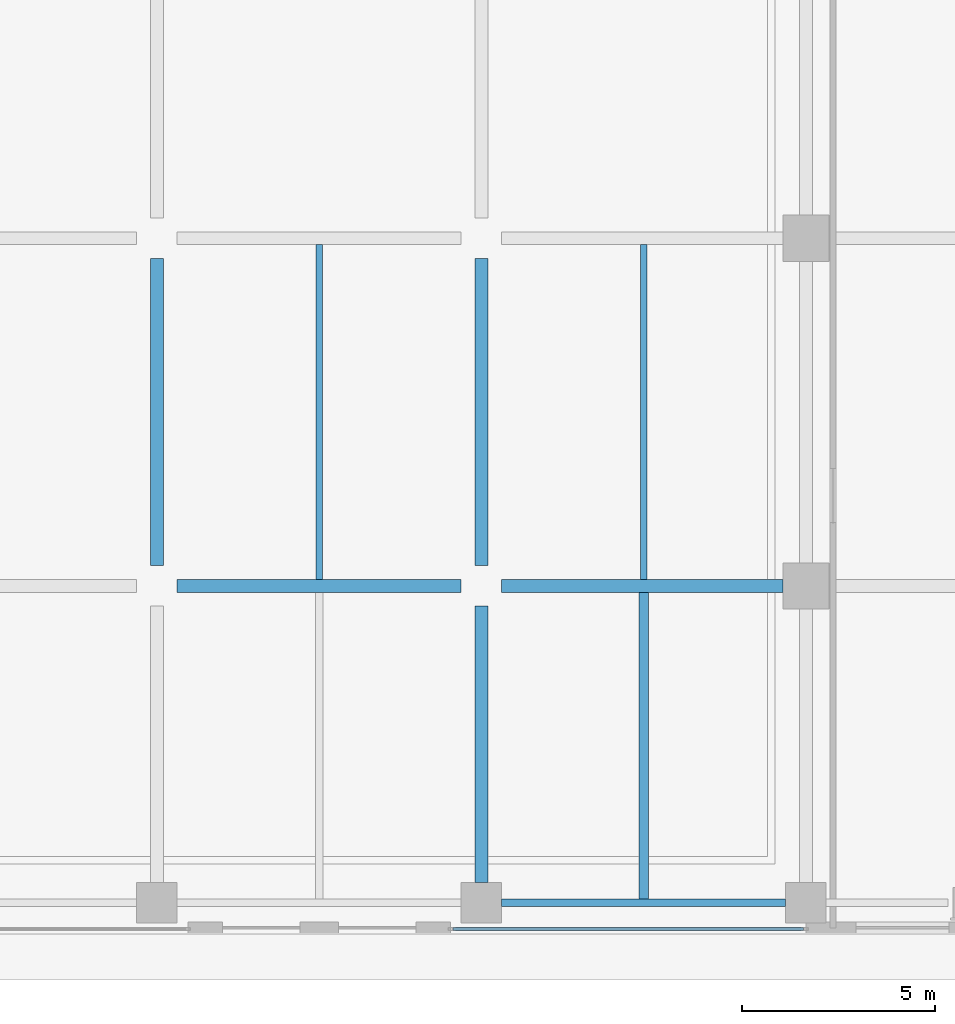
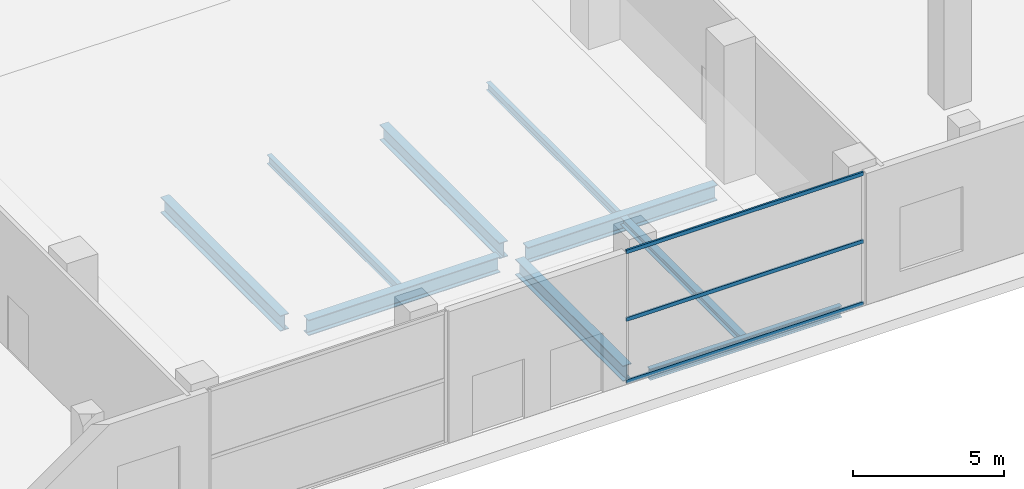
# One storey, part 14 of 35: 9 beams, 3 members, 1 element without a shape of its own.
"""IFC4 building model written with IfcOpenShell, lengths in metres."""

from ifc_helpers import new_model, si_unit, direction, frame, origin, origin_2d, place, context, subcontext, project, spatial, hollow_rectangle, i_section, extrude, material, layer, layer_set, material_profile, profile_set, type_object, element, aggregate, save


model = new_model("IFC4")

# Units and contexts
model_context = context("Model", 3, precision=1e-05, world=origin(), true_north=direction((0.0, 1.0)))
body_context = subcontext(model_context, "Body", "Model", "MODEL_VIEW")
ifc_project = project(units=[si_unit("LENGTHUNIT", "METRE"), si_unit("AREAUNIT", "SQUARE_METRE"), si_unit("VOLUMEUNIT", "CUBIC_METRE"), si_unit("PLANEANGLEUNIT", "RADIAN"), si_unit("MASSUNIT", "GRAM", prefix="KILO")], contexts=[model_context])

# Site, building, storey
site_placement = place(None, origin())
site = spatial("IfcSite", under=ifc_project, at=site_placement, CompositionType="ELEMENT")
building_placement = place(site_placement, origin())
building = spatial("IfcBuilding", under=site, at=building_placement, Name="Maruvema Waterfront Hotel and Observation Tower", CompositionType="ELEMENT")
storey_placement = place(building_placement, origin())
storey = spatial("IfcBuildingStorey", under=building, at=storey_placement, Name="L00", CompositionType="ELEMENT", Elevation=0.0)

# Curtain wall, members
ifc_material_1 = material(Name="Anodised bronze aluminium and solar-control low-E IGU", Category="aluminium")
ifc_layer = layer(ifc_material_1, 0.159912109375, Name="Podium Waterfront Storefront Curtain Wall System CW-01")
ifc_layer_set = layer_set([ifc_layer], Name="Anodised bronze aluminium and solar-control low-E IGU")
curtain_wall_type = type_object("IfcCurtainWallType", Name="Podium Waterfront Storefront Curtain Wall System CW-01", PredefinedType="USERDEFINED", material=ifc_layer_set)
curtain_wall_placement = place(storey_placement, origin())
curtain_wall = element("IfcCurtainWall", 1, at=curtain_wall_placement, inside=storey, type_object=curtain_wall_type, Name="L00 Curtain Wall CW-L00-SE", ObjectType="UNITISED CURTAIN WALL", PredefinedType="USERDEFINED")
ifc_material_2 = material(Name="Anodised architectural bronze aluminium", Category="aluminium")
ifc_material_profile_1 = material_profile(ifc_material_2, hollow_rectangle(XDim=0.070068359375, YDim=0.14990234375, WallThickness=0.00390625, at=origin_2d()), Name="ALU-T70x150")
ifc_profile_set_1 = profile_set([ifc_material_profile_1], Name="Anodised architectural bronze aluminium")
member_type = type_object("IfcMemberType", Name="Curtain Wall Horizontal Transom ALU-T70x150", PredefinedType="USERDEFINED", material=ifc_profile_set_1)
member_1_placement = place(storey_placement, frame((41.260009765625, 0.1201171875, 0.030029296875), z_axis=(1.0, 0.0, 0.0), x_axis=(0.0, 1.0, 0.0)))
member_1 = element("IfcMember", 2, at=member_1_placement, type_object=member_type, Name="CW-01 transom 1.1", ObjectType="TRANSOM", PredefinedType="USERDEFINED", context=body_context, shape_type="SweptSolid", body=[
    extrude(hollow_rectangle(XDim=0.070068359375, YDim=0.14990234375, WallThickness=0.00390625, at=origin_2d()), origin(), (0.0, 0.0, 1.0), 9.080078125),
])
member_2_placement = place(storey_placement, frame((41.260009765625, 0.1201171875, 2.550048828125), z_axis=(1.0, 0.0, 0.0), x_axis=(0.0, 1.0, 0.0)))
member_2 = element("IfcMember", 3, at=member_2_placement, type_object=member_type, Name="CW-01 transom 1.2", ObjectType="TRANSOM", PredefinedType="USERDEFINED", context=body_context, shape_type="SweptSolid", body=[
    extrude(hollow_rectangle(XDim=0.070068359375, YDim=0.14990234375, WallThickness=0.00390625, at=origin_2d()), origin(), (0.0, 0.0, 1.0), 9.080078125),
])
member_3_placement = place(storey_placement, frame((41.260009765625, 0.1201171875, 5.2900390625), z_axis=(1.0, 0.0, 0.0), x_axis=(0.0, 1.0, 0.0)))
member_3 = element("IfcMember", 4, at=member_3_placement, type_object=member_type, Name="CW-01 transom 1.3", ObjectType="TRANSOM", PredefinedType="USERDEFINED", context=body_context, shape_type="SweptSolid", body=[
    extrude(hollow_rectangle(XDim=0.070068359375, YDim=0.14990234375, WallThickness=0.00390625, at=origin_2d()), origin(), (0.0, 0.0, 1.0), 9.080078125),
])
aggregate(curtain_wall, [member_1, member_2, member_3])

# Beams
ifc_material_3 = material(Name="Steel ASTM A572 Grade 50", Category="steel")
ifc_material_profile_2 = material_profile(ifc_material_3, i_section(OverallWidth=0.18994140625, OverallDepth=0.45703125, WebThickness=0.009033203125, FlangeThickness=0.014404296875, FilletRadius=0.014892578125, at=origin_2d()), Name="W460x74.0")
ifc_profile_set_2 = profile_set([ifc_material_profile_2], Name="Steel ASTM A572 Grade 50")
beam_type_1 = type_object("IfcBeamType", Name="Perimeter Spandrel Beam W460x74.0", PredefinedType="SPANDREL", material=ifc_profile_set_2)
beam_1_placement = place(storey_placement, frame((42.52490234375, 0.800048828125, -0.508544921875), z_axis=(1.0, 0.0, 0.0), x_axis=(0.0, 1.0, 0.0)))
element("IfcBeam", 5, at=beam_1_placement, inside=storey, type_object=beam_type_1, Name="L00 Floor Girder EW-06", PredefinedType="SPANDREL", context=body_context, shape_type="SweptSolid", body=[
    extrude(i_section(OverallWidth=0.18994140625, OverallDepth=0.45703125, WebThickness=0.009033203125, FlangeThickness=0.014404296875, FilletRadius=0.014892578125, at=origin_2d()), origin(), (0.0, 0.0, 1.0), 7.35009765625),
])
ifc_material_4 = material(Name="Steel ASTM A572 Grade 50", Category="steel")
ifc_material_profile_3 = material_profile(ifc_material_4, i_section(OverallWidth=0.3291015625, OverallDepth=0.635009765625, WebThickness=0.017822265625, FlangeThickness=0.031005859375, FilletRadius=0.01806640625, at=origin_2d()), Name="W610x241.0")
ifc_profile_set_3 = profile_set([ifc_material_profile_3], Name="Steel ASTM A572 Grade 50")
beam_type_2 = type_object("IfcBeamType", Name="Primary Floor Girder W610x241.0", PredefinedType="BEAM", material=ifc_profile_set_3)
beam_2_placement = place(storey_placement, frame((34.125, 9.0, -0.597412109375), z_axis=(1.0, 0.0, 0.0), x_axis=(0.0, 1.0, 0.0)))
element("IfcBeam", 6, at=beam_2_placement, inside=storey, type_object=beam_type_2, Name="L00 Floor Girder EW-13", PredefinedType="BEAM", context=body_context, shape_type="SweptSolid", body=[
    extrude(i_section(OverallWidth=0.3291015625, OverallDepth=0.635009765625, WebThickness=0.017822265625, FlangeThickness=0.031005859375, FilletRadius=0.01806640625, at=origin_2d()), origin(), (0.0, 0.0, 1.0), 7.35009765625),
])
beam_3_placement = place(storey_placement, frame((42.52490234375, 9.0, -0.597412109375), z_axis=(1.0, 0.0, 0.0), x_axis=(0.0, 1.0, 0.0)))
element("IfcBeam", 7, at=beam_3_placement, inside=storey, type_object=beam_type_2, Name="L00 Floor Girder EW-14", PredefinedType="BEAM", context=body_context, shape_type="SweptSolid", body=[
    extrude(i_section(OverallWidth=0.3291015625, OverallDepth=0.635009765625, WebThickness=0.017822265625, FlangeThickness=0.031005859375, FilletRadius=0.01806640625, at=origin_2d()), origin(), (0.0, 0.0, 1.0), 7.275146484375),
])
beam_4_placement = place(storey_placement, frame((33.60009765625, 9.52490234375, -0.597412109375), z_axis=(0.0, 1.0, 0.0), x_axis=(-1.0, 0.0, 0.0)))
element("IfcBeam", 8, at=beam_4_placement, inside=storey, type_object=beam_type_2, Name="L00 Floor Girder NS-19", PredefinedType="BEAM", context=body_context, shape_type="SweptSolid", body=[
    extrude(i_section(OverallWidth=0.3291015625, OverallDepth=0.635009765625, WebThickness=0.017822265625, FlangeThickness=0.031005859375, FilletRadius=0.01806640625, at=origin_2d()), origin(), (0.0, 0.0, 1.0), 7.9501953125),
])
beam_5_placement = place(storey_placement, frame((42.0, 1.324951171875, -0.597412109375), z_axis=(0.0, 1.0, 0.0), x_axis=(-1.0, 0.0, 0.0)))
element("IfcBeam", 9, at=beam_5_placement, inside=storey, type_object=beam_type_2, Name="L00 Floor Girder NS-21", PredefinedType="BEAM", context=body_context, shape_type="SweptSolid", body=[
    extrude(i_section(OverallWidth=0.3291015625, OverallDepth=0.635009765625, WebThickness=0.017822265625, FlangeThickness=0.031005859375, FilletRadius=0.01806640625, at=origin_2d()), origin(), (0.0, 0.0, 1.0), 7.150146484375),
])
beam_6_placement = place(storey_placement, frame((42.0, 9.52490234375, -0.597412109375), z_axis=(0.0, 1.0, 0.0), x_axis=(-1.0, 0.0, 0.0)))
element("IfcBeam", 10, at=beam_6_placement, inside=storey, type_object=beam_type_2, Name="L00 Floor Girder NS-22", PredefinedType="BEAM", context=body_context, shape_type="SweptSolid", body=[
    extrude(i_section(OverallWidth=0.3291015625, OverallDepth=0.635009765625, WebThickness=0.017822265625, FlangeThickness=0.031005859375, FilletRadius=0.01806640625, at=origin_2d()), origin(), (0.0, 0.0, 1.0), 7.9501953125),
])
ifc_material_5 = material(Name="Steel ASTM A572 Grade 50", Category="steel")
ifc_material_profile_4 = material_profile(ifc_material_5, i_section(OverallWidth=0.1669921875, OverallDepth=0.31689453125, WebThickness=0.007568359375, FlangeThickness=0.01318359375, FilletRadius=0.012939453125, at=origin_2d()), Name="W310x52.0")
ifc_profile_set_4 = profile_set([ifc_material_profile_4], Name="Steel ASTM A572 Grade 50")
beam_type_3 = type_object("IfcBeamType", Name="Secondary Floor Joist W310x52.0", PredefinedType="JOIST", material=ifc_profile_set_4)
beam_7_placement = place(storey_placement, frame((46.199951171875, 9.16455078125, -0.4384765625), z_axis=(0.0, 1.0, 0.0), x_axis=(-1.0, 0.0, 0.0)))
element("IfcBeam", 11, at=beam_7_placement, inside=storey, type_object=beam_type_3, Name="L00 Secondary Floor Joist JS-14", PredefinedType="JOIST", context=body_context, shape_type="SweptSolid", body=[
    extrude(i_section(OverallWidth=0.1669921875, OverallDepth=0.31689453125, WebThickness=0.007568359375, FlangeThickness=0.01318359375, FilletRadius=0.012939453125, at=origin_2d()), origin(), (0.0, 0.0, 1.0), 8.6708984375),
])
ifc_material_6 = material(Name="Steel ASTM A572 Grade 50", Category="steel")
ifc_material_profile_5 = material_profile(ifc_material_6, i_section(OverallWidth=0.25390625, OverallDepth=0.305908203125, WebThickness=0.0087890625, FlangeThickness=0.0146484375, FilletRadius=0.014892578125, at=origin_2d()), Name="W310x79.0")
ifc_profile_set_5 = profile_set([ifc_material_profile_5], Name="Steel ASTM A572 Grade 50")
beam_type_4 = type_object("IfcBeamType", Name="Secondary Floor Joist W310x79.0", PredefinedType="JOIST", material=ifc_profile_set_5)
beam_8_placement = place(storey_placement, frame((46.199951171875, 0.89501953125, -0.43310546875), z_axis=(0.0, 1.0, 0.0), x_axis=(-1.0, 0.0, 0.0)))
element("IfcBeam", 12, at=beam_8_placement, inside=storey, type_object=beam_type_4, Name="L00 Secondary Floor Joist JS-13", PredefinedType="JOIST", context=body_context, shape_type="SweptSolid", body=[
    extrude(i_section(OverallWidth=0.25390625, OverallDepth=0.305908203125, WebThickness=0.0087890625, FlangeThickness=0.0146484375, FilletRadius=0.014892578125, at=origin_2d()), origin(), (0.0, 0.0, 1.0), 7.9404296875),
])
ifc_material_7 = material(Name="Steel ASTM A572 Grade 50", Category="steel")
ifc_material_profile_6 = material_profile(ifc_material_7, i_section(OverallWidth=0.1708984375, OverallDepth=0.35498046875, WebThickness=0.007080078125, FlangeThickness=0.01171875, FilletRadius=0.014892578125, at=origin_2d()), Name="W360x51.0")
ifc_profile_set_6 = profile_set([ifc_material_profile_6], Name="Steel ASTM A572 Grade 50")
beam_type_5 = type_object("IfcBeamType", Name="Secondary Floor Joist W360x51.0", PredefinedType="JOIST", material=ifc_profile_set_6)
beam_9_placement = place(storey_placement, frame((37.800048828125, 9.16455078125, -0.45751953125), z_axis=(0.0, 1.0, 0.0), x_axis=(-1.0, 0.0, 0.0)))
element("IfcBeam", 13, at=beam_9_placement, inside=storey, type_object=beam_type_5, Name="L00 Secondary Floor Joist JS-12", PredefinedType="JOIST", context=body_context, shape_type="SweptSolid", body=[
    extrude(i_section(OverallWidth=0.1708984375, OverallDepth=0.35498046875, WebThickness=0.007080078125, FlangeThickness=0.01171875, FilletRadius=0.014892578125, at=origin_2d()), origin(), (0.0, 0.0, 1.0), 8.6708984375),
])

save(model, "model.ifc")
